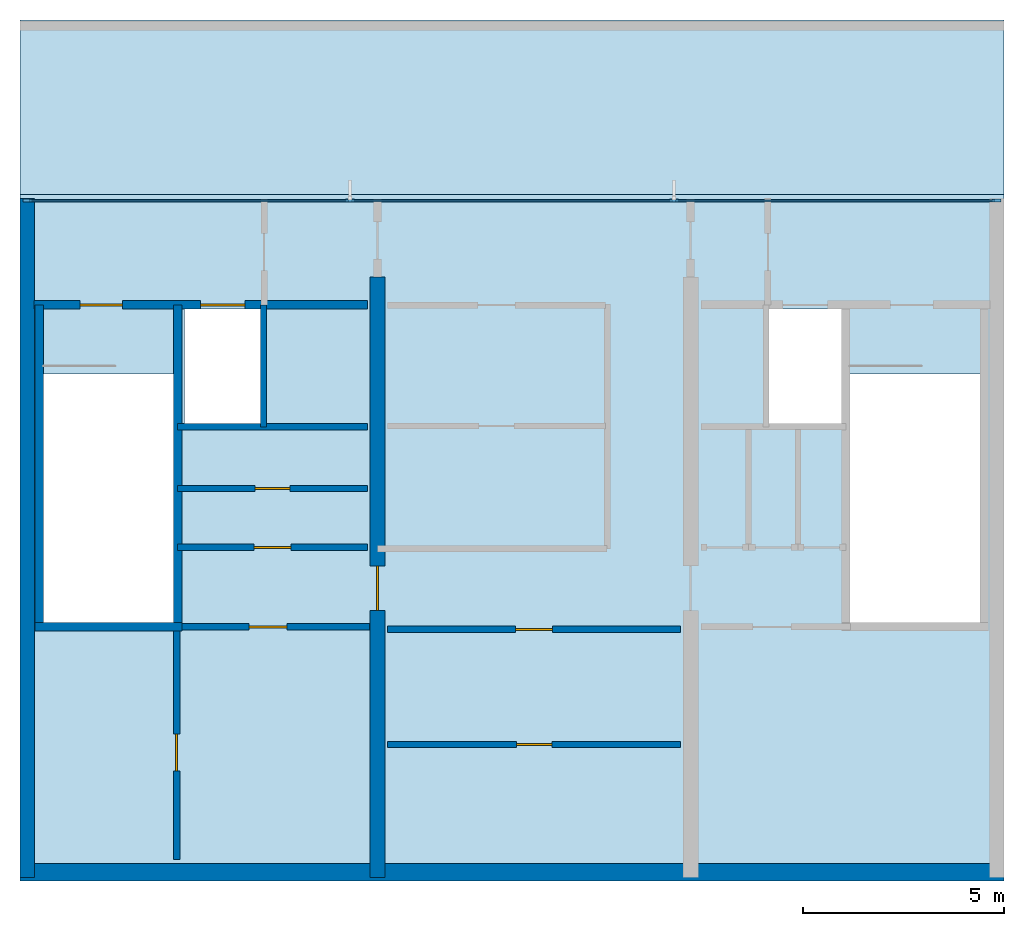
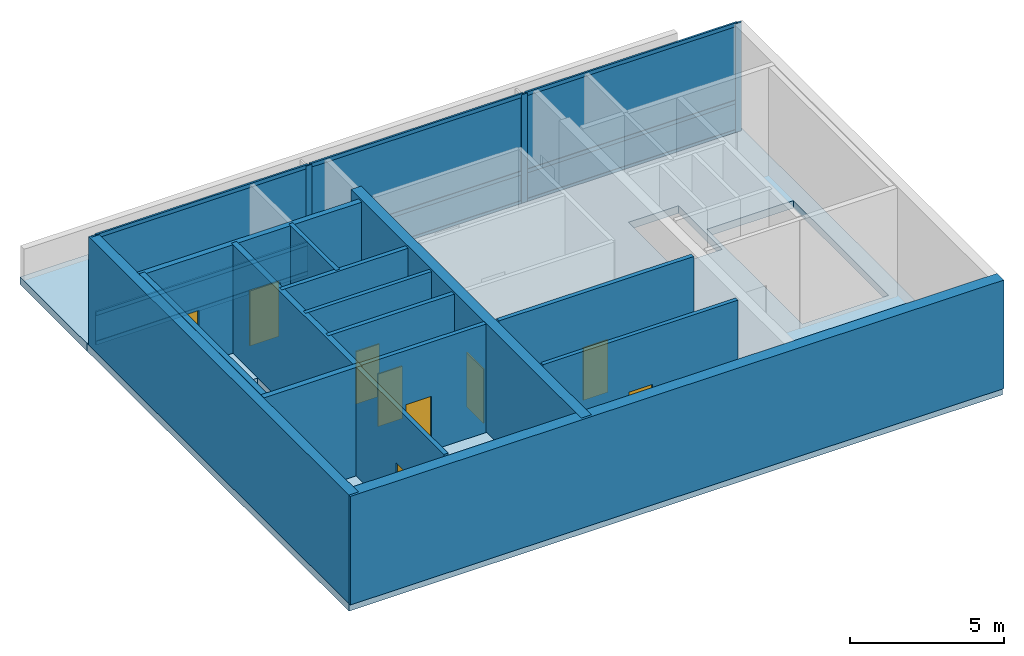
# One storey, part 1 of 3: 15 walls, 13 members, 9 doors, 6 plates, 2 slabs, 9 openings, 1 element without a shape of its own.
"""IFC4 building model written with IfcOpenShell, lengths in metres."""

import ifcopenshell
import ifcopenshell.guid

model = None  # the IFC model being written
_history = None  # IfcOwnerHistory: only IFC2X3 demands one
_inside = {}  # id of a spatial element -> (the spatial element, [elements in it])
_under = {}  # id of a project, library or spatial element -> (it, [spatial elements below it])
_declared = {}  # id of a project -> (the project, [libraries it declares])
_typed = {}  # id of a type object -> (the type object, [elements of that type])
_made_of = {}  # id of a material, layer set ... -> (it, [elements and type objects made of it])


def new_model(schema):
    """Start an empty IFC model of exactly this schema.

    Asked for "IFC4X3", IfcOpenShell would pick the latest addendum, in which some entities
    have other attributes; the version numbers below select the first issue.
    IFC2X3 requires an IfcOwnerHistory on every rooted entity: one is made here for all.
    """
    global model, _history
    if schema == "IFC4X3":
        model = ifcopenshell.file(schema_version=(4, 3, 0, 0))
    else:
        model = ifcopenshell.file(schema=schema)
    _inside.clear()
    _under.clear()
    _declared.clear()
    _typed.clear()
    _made_of.clear()
    _history = None
    if model.schema == "IFC2X3":
        org = make("IfcOrganization", Name="unknown")
        user = make(
            "IfcPersonAndOrganization",
            ThePerson=make("IfcPerson", FamilyName="unknown"),
            TheOrganization=org,
        )
        app = make(
            "IfcApplication",
            ApplicationDeveloper=org,
            Version="unknown",
            ApplicationFullName="unknown",
            ApplicationIdentifier="unknown",
        )
        _history = make(
            "IfcOwnerHistory",
            OwningUser=user,
            OwningApplication=app,
            ChangeAction="ADDED",
            CreationDate=0,
        )
    return model


def make(cls, **values):
    """One entity of the class cls with the attributes given. An attribute that is None is left unset."""
    return model.create_entity(
        cls, **{name: value for name, value in values.items() if value is not None}
    )


def rooted(cls, **values):
    """An entity with a GlobalId (a new one), such as an element, a storey or a relation."""
    return make(cls, GlobalId=ifcopenshell.guid.new(), OwnerHistory=_history, **values)


def si_unit(unit_type, name, prefix=None):
    """IfcSIUnit, for example si_unit("LENGTHUNIT", "METRE", prefix="MILLI")."""
    return make("IfcSIUnit", UnitType=unit_type, Prefix=prefix, Name=name)


def assignment(units):
    """IfcUnitAssignment: the units of a project."""
    return None if units is None else make("IfcUnitAssignment", Units=units)


def point(xyz):
    """IfcCartesianPoint."""
    return None if xyz is None else make("IfcCartesianPoint", Coordinates=xyz)


def direction(xyz):
    """IfcDirection."""
    return None if xyz is None else make("IfcDirection", DirectionRatios=xyz)


def frame(location, z_axis=None, x_axis=None):
    """IfcAxis2Placement3D, a coordinate frame: its origin and axes. An axis left out is left unset."""
    return make(
        "IfcAxis2Placement3D",
        Location=point(location),
        Axis=direction(z_axis),
        RefDirection=direction(x_axis),
    )


def frame_2d(location, x_axis=None):
    """IfcAxis2Placement2D, a coordinate frame in the plane: its origin and x axis."""
    return make(
        "IfcAxis2Placement2D", Location=point(location), RefDirection=direction(x_axis)
    )


def origin():
    """The frame at (0, 0, 0) with its axes left unset."""
    return frame((0.0, 0.0, 0.0))


def origin_2d():
    """The frame at (0, 0) in the plane with its x axis left unset."""
    return frame_2d((0.0, 0.0))


def place(relative_to, where):
    """IfcLocalPlacement: puts the frame where relative to a parent placement (None: the world)."""
    return make(
        "IfcLocalPlacement", PlacementRelTo=relative_to, RelativePlacement=where
    )


def context(
    kind, dimensions, precision=None, world=None, true_north=None, identifier=None
):
    """IfcGeometricRepresentationContext, for example the 3D "Model" context."""
    return make(
        "IfcGeometricRepresentationContext",
        ContextIdentifier=identifier,
        ContextType=kind,
        CoordinateSpaceDimension=dimensions,
        Precision=precision,
        WorldCoordinateSystem=world,
        TrueNorth=true_north,
    )


def subcontext(parent, identifier, kind, view, scale=None):
    """IfcGeometricRepresentationSubContext, for example "Body" below "Model"."""
    return make(
        "IfcGeometricRepresentationSubContext",
        ContextIdentifier=identifier,
        ContextType=kind,
        ParentContext=parent,
        TargetScale=scale,
        TargetView=view,
    )


def project(units=None, contexts=None):
    """IfcProject with its units and contexts."""
    return rooted(
        "IfcProject",
        Name="project",
        RepresentationContexts=contexts,
        UnitsInContext=assignment(units),
    )


def spatial(cls, under=None, at=None, **own):
    """A site, building, storey or space (cls), placed at a placement, below another one or the project."""
    s = rooted(cls, ObjectPlacement=at, **own)
    if under is not None:
        _under.setdefault(under.id(), (under, []))[1].append(s)
    return s


def polyline(points):
    """IfcPolyline through the points."""
    return make("IfcPolyline", Points=[point(p) for p in points])


def profile(cls, at=None, kind="AREA", **sizes):
    """A parametric profile (cls). Its sizes go by their IFC names, for example OverallWidth=200.0."""
    return make(cls, ProfileType=kind, Position=at, **sizes)


def rectangle(**sizes):
    """IfcRectangleProfileDef."""
    return profile("IfcRectangleProfileDef", **sizes)


def outline(outer, holes=None, kind="AREA"):
    """IfcArbitraryClosedProfileDef: a profile drawn as a closed curve; with holes, ...WithVoids."""
    if holes is None:
        return make("IfcArbitraryClosedProfileDef", ProfileType=kind, OuterCurve=outer)
    return make(
        "IfcArbitraryProfileDefWithVoids",
        ProfileType=kind,
        OuterCurve=outer,
        InnerCurves=holes,
    )


def extrude(swept, where, along, depth):
    """IfcExtrudedAreaSolid: the profile swept, set in the frame where, extruded along a direction by depth."""
    return make(
        "IfcExtrudedAreaSolid",
        SweptArea=swept,
        Position=where,
        ExtrudedDirection=direction(along),
        Depth=depth,
    )


def shape(context_of_items, identifier, shape_type, items):
    """IfcShapeRepresentation: the items that make up one representation, for example the "Body"."""
    return make(
        "IfcShapeRepresentation",
        ContextOfItems=context_of_items,
        RepresentationIdentifier=identifier,
        RepresentationType=shape_type,
        Items=items,
    )


def material(Name=None, Category=None):
    """IfcMaterial."""
    return make("IfcMaterial", Name=Name, Category=Category)


def layer(
    of_material, thickness, ventilated=None, Name=None, Category=None, Priority=None
):
    """IfcMaterialLayer: one layer of a wall or slab, of a material (None: an air gap)."""
    return make(
        "IfcMaterialLayer",
        Material=of_material,
        LayerThickness=thickness,
        IsVentilated=ventilated,
        Name=Name,
        Category=Category,
        Priority=Priority,
    )


def layer_set(layers, Name=None):
    """IfcMaterialLayerSet."""
    return make("IfcMaterialLayerSet", MaterialLayers=layers, LayerSetName=Name)


def material_profile(
    of_material, cross_section, Name=None, Category=None, Priority=None
):
    """IfcMaterialProfile: a cross section and its material."""
    return make(
        "IfcMaterialProfile",
        Name=Name,
        Material=of_material,
        Profile=cross_section,
        Priority=Priority,
        Category=Category,
    )


def profile_set(profiles, Name=None, composite=None):
    """IfcMaterialProfileSet."""
    return make(
        "IfcMaterialProfileSet",
        Name=Name,
        MaterialProfiles=profiles,
        CompositeProfile=composite,
    )


def made_of(thing, what):
    """Note that an element or type object is made of a material, layer set ...; save() writes the relation."""
    if what is not None:
        _made_of.setdefault(what.id(), (what, []))[1].append(thing)
    return thing


def type_object(cls, material=None, **own):
    """A type object (cls), such as IfcWallType, which elements share."""
    return made_of(rooted(cls, **own), material)


def element(
    cls,
    number,
    at=None,
    inside=None,
    cuts=None,
    type_object=None,
    material=None,
    context=None,
    identifier="Body",
    shape_type=None,
    held_by="IfcProductDefinitionShape",
    body=None,
    shapes=None,
    **own,
):
    """One element of the class cls, such as IfcWall. Its Tag is "e" and its number.

    at: its placement. inside: the storey or other place that contains it. cuts: it is an
    opening in that element (IfcRelVoidsElement). A single representation is given by context,
    identifier, shape_type and body (its items); several are given by shapes. held_by: the class
    of the entity that holds the representations. save() writes the other relations.
    """
    e = rooted(cls, Tag="e%d" % number, ObjectPlacement=at, **own)
    if body is not None:
        shapes = [shape(context, identifier, shape_type, body)]
    if shapes is not None:
        e.Representation = make(held_by, Representations=shapes)
    if inside is not None:
        _inside.setdefault(inside.id(), (inside, []))[1].append(e)
    if cuts is not None:
        rooted(
            "IfcRelVoidsElement", RelatingBuildingElement=cuts, RelatedOpeningElement=e
        )
    if type_object is not None:
        _typed.setdefault(type_object.id(), (type_object, []))[1].append(e)
    return made_of(e, material)


def fill(opening, filler):
    """IfcRelFillsElement: the door or window that sits in an opening."""
    return rooted(
        "IfcRelFillsElement",
        RelatingOpeningElement=opening,
        RelatedBuildingElement=filler,
    )


def aggregate(whole, parts):
    """IfcRelAggregates: a whole, such as a stair, and the parts it consists of."""
    return rooted("IfcRelAggregates", RelatingObject=whole, RelatedObjects=parts)


def save(model, path):
    """Write the relations noted so far, then the file.

    IfcRelAggregates (storeys below a building ...), IfcRelContainedInSpatialStructure (elements
    in a storey), IfcRelDefinesByType, IfcRelAssociatesMaterial and IfcRelDeclares: one each for
    every whole, place, type object, material and project.
    """
    for whole, parts in _under.values():
        aggregate(whole, parts)
    for where, things in _inside.values():
        rooted(
            "IfcRelContainedInSpatialStructure",
            RelatedElements=things,
            RelatingStructure=where,
        )
    for kind, things in _typed.values():
        rooted("IfcRelDefinesByType", RelatedObjects=things, RelatingType=kind)
    for what, things in _made_of.values():
        rooted("IfcRelAssociatesMaterial", RelatedObjects=things, RelatingMaterial=what)
    for by, libraries in _declared.values():
        rooted("IfcRelDeclares", RelatingContext=by, RelatedDefinitions=libraries)
    model.write(path)


model = new_model("IFC4")

# Units and contexts
model_context = context("Model", 3, precision=1e-05, world=origin(), true_north=direction((0.0, 1.0)))
body_context = subcontext(model_context, "Body", "Model", "MODEL_VIEW")
ifc_project = project(units=[si_unit("LENGTHUNIT", "METRE"), si_unit("AREAUNIT", "SQUARE_METRE"), si_unit("VOLUMEUNIT", "CUBIC_METRE"), si_unit("PLANEANGLEUNIT", "RADIAN"), si_unit("MASSUNIT", "GRAM", prefix="KILO")], contexts=[model_context])

# Site, building, storey
site_placement = place(None, origin())
site = spatial("IfcSite", under=ifc_project, at=site_placement, CompositionType="ELEMENT")
building_placement = place(site_placement, origin())
building = spatial("IfcBuilding", under=site, at=building_placement, Name="Qalmaran Belvedere Hotel", CompositionType="ELEMENT")
storey_placement = place(building_placement, frame((0.0, 0.0, 317.10009765625)))
storey = spatial("IfcBuildingStorey", under=building, at=storey_placement, Name="C05", CompositionType="ELEMENT", Elevation=317.10009765625)

# Curtain wall, members, plates
ifc_material_1 = material(Name="Anodised Bronze Aluminium", Category="aluminium")
ifc_layer_1 = layer(ifc_material_1, 0.205078125, Name="Anodised Bronze Aluminium")
ifc_layer_set_1 = layer_set([ifc_layer_1], Name="Anodised Bronze Aluminium")
curtain_wall_type = type_object("IfcCurtainWallType", Name="CW7-CROWN-BELVEDERE", PredefinedType="NOTDEFINED", material=ifc_layer_set_1)
curtain_wall_placement = place(storey_placement, origin())
curtain_wall = element("IfcCurtainWall", 1, at=curtain_wall_placement, inside=storey, type_object=curtain_wall_type, Name="C05 Curtain Wall CW7", PredefinedType="NOTDEFINED")
ifc_material_profile_1 = material_profile(ifc_material_1, rectangle(XDim=0.074951171875, YDim=0.219970703125, at=origin_2d()), Name="CWM75X220")
ifc_profile_set_1 = profile_set([ifc_material_profile_1], Name="Anodised Bronze Aluminium")
member_type_1 = type_object("IfcMemberType", Name="CWM-75X220", PredefinedType="MULLION", material=ifc_profile_set_1)
member_1_placement = place(storey_placement, frame((44.612548828125, 20.35009765625, 0.0), z_axis=(0.0, 0.0, 1.0), x_axis=(0.0, -1.0, 0.0)))
member_1 = element("IfcMember", 2, at=member_1_placement, type_object=member_type_1, Name="CW7 mullion 1", PredefinedType="MULLION", context=body_context, shape_type="SweptSolid", body=[
    extrude(rectangle(XDim=0.074951171875, YDim=0.219970703125, at=origin_2d()), origin(), (0.0, 0.0, 1.0), 4.2998046875),
])
member_2_placement = place(storey_placement, frame((36.583251953125, 20.35009765625, 0.0), z_axis=(0.0, 0.0, 1.0), x_axis=(0.0, -1.0, 0.0)))
member_2 = element("IfcMember", 3, at=member_2_placement, type_object=member_type_1, Name="CW7 mullion 2", PredefinedType="MULLION", context=body_context, shape_type="SweptSolid", body=[
    extrude(rectangle(XDim=0.074951171875, YDim=0.219970703125, at=origin_2d()), origin(), (0.0, 0.0, 1.0), 4.2998046875),
])
member_3_placement = place(storey_placement, frame((28.5166015625, 20.35009765625, 0.0), z_axis=(0.0, 0.0, 1.0), x_axis=(0.0, -1.0, 0.0)))
member_3 = element("IfcMember", 4, at=member_3_placement, type_object=member_type_1, Name="CW7 mullion 3", PredefinedType="MULLION", context=body_context, shape_type="SweptSolid", body=[
    extrude(rectangle(XDim=0.074951171875, YDim=0.219970703125, at=origin_2d()), origin(), (0.0, 0.0, 1.0), 4.2998046875),
])
member_4_placement = place(storey_placement, frame((20.487548828125, 20.35009765625, 0.0), z_axis=(0.0, 0.0, 1.0), x_axis=(0.0, -1.0, 0.0)))
member_4 = element("IfcMember", 5, at=member_4_placement, type_object=member_type_1, Name="CW7 mullion 4", PredefinedType="MULLION", context=body_context, shape_type="SweptSolid", body=[
    extrude(rectangle(XDim=0.074951171875, YDim=0.219970703125, at=origin_2d()), origin(), (0.0, 0.0, 1.0), 4.2998046875),
])
ifc_material_profile_2 = material_profile(ifc_material_1, rectangle(XDim=0.070068359375, YDim=0.14990234375, at=origin_2d()), Name="CWT70X150")
ifc_profile_set_2 = profile_set([ifc_material_profile_2], Name="Anodised Bronze Aluminium")
member_type_2 = type_object("IfcMemberType", Name="CWT-70X150", PredefinedType="USERDEFINED", material=ifc_profile_set_2)
member_5_placement = place(storey_placement, frame((44.574951171875, 20.35009765625, 0.034912109375), z_axis=(-1.0, 0.0, 0.0), x_axis=(0.0, -1.0, 0.0)))
member_5 = element("IfcMember", 6, at=member_5_placement, type_object=member_type_2, Name="CW7 transom 1.1", ObjectType="TRANSOM", PredefinedType="USERDEFINED", context=body_context, shape_type="SweptSolid", body=[
    extrude(rectangle(XDim=0.070068359375, YDim=0.14990234375, at=origin_2d()), origin(), (0.0, 0.0, 1.0), 7.9541015625),
])
member_6_placement = place(storey_placement, frame((44.574951171875, 20.35009765625, 1.203857421875), z_axis=(-1.0, 0.0, 0.0), x_axis=(0.0, -1.0, 0.0)))
member_6 = element("IfcMember", 7, at=member_6_placement, type_object=member_type_2, Name="CW7 transom 1.2", ObjectType="TRANSOM", PredefinedType="USERDEFINED", context=body_context, shape_type="SweptSolid", body=[
    extrude(rectangle(XDim=0.070068359375, YDim=0.14990234375, at=origin_2d()), origin(), (0.0, 0.0, 1.0), 7.9541015625),
])
member_7_placement = place(storey_placement, frame((44.574951171875, 20.35009765625, 4.264892578125), z_axis=(-1.0, 0.0, 0.0), x_axis=(0.0, -1.0, 0.0)))
member_7 = element("IfcMember", 8, at=member_7_placement, type_object=member_type_2, Name="CW7 transom 1.3", ObjectType="TRANSOM", PredefinedType="USERDEFINED", context=body_context, shape_type="SweptSolid", body=[
    extrude(rectangle(XDim=0.070068359375, YDim=0.14990234375, at=origin_2d()), origin(), (0.0, 0.0, 1.0), 7.9541015625),
])
member_8_placement = place(storey_placement, frame((36.5458984375, 20.35009765625, 0.034912109375), z_axis=(-1.0, 0.0, 0.0), x_axis=(0.0, -1.0, 0.0)))
member_8 = element("IfcMember", 9, at=member_8_placement, type_object=member_type_2, Name="CW7 transom 2.1", ObjectType="TRANSOM", PredefinedType="USERDEFINED", context=body_context, shape_type="SweptSolid", body=[
    extrude(rectangle(XDim=0.070068359375, YDim=0.14990234375, at=origin_2d()), origin(), (0.0, 0.0, 1.0), 7.99169921875),
])
member_9_placement = place(storey_placement, frame((36.5458984375, 20.35009765625, 1.203857421875), z_axis=(-1.0, 0.0, 0.0), x_axis=(0.0, -1.0, 0.0)))
member_9 = element("IfcMember", 10, at=member_9_placement, type_object=member_type_2, Name="CW7 transom 2.2", ObjectType="TRANSOM", PredefinedType="USERDEFINED", context=body_context, shape_type="SweptSolid", body=[
    extrude(rectangle(XDim=0.070068359375, YDim=0.14990234375, at=origin_2d()), origin(), (0.0, 0.0, 1.0), 7.99169921875),
])
member_10_placement = place(storey_placement, frame((36.5458984375, 20.35009765625, 4.264892578125), z_axis=(-1.0, 0.0, 0.0), x_axis=(0.0, -1.0, 0.0)))
member_10 = element("IfcMember", 11, at=member_10_placement, type_object=member_type_2, Name="CW7 transom 2.3", ObjectType="TRANSOM", PredefinedType="USERDEFINED", context=body_context, shape_type="SweptSolid", body=[
    extrude(rectangle(XDim=0.070068359375, YDim=0.14990234375, at=origin_2d()), origin(), (0.0, 0.0, 1.0), 7.99169921875),
])
member_11_placement = place(storey_placement, frame((28.479248046875, 20.35009765625, 0.034912109375), z_axis=(-1.0, 0.0, 0.0), x_axis=(0.0, -1.0, 0.0)))
member_11 = element("IfcMember", 12, at=member_11_placement, type_object=member_type_2, Name="CW7 transom 3.1", ObjectType="TRANSOM", PredefinedType="USERDEFINED", context=body_context, shape_type="SweptSolid", body=[
    extrude(rectangle(XDim=0.070068359375, YDim=0.14990234375, at=origin_2d()), origin(), (0.0, 0.0, 1.0), 7.954345703125),
])
member_12_placement = place(storey_placement, frame((28.479248046875, 20.35009765625, 1.203857421875), z_axis=(-1.0, 0.0, 0.0), x_axis=(0.0, -1.0, 0.0)))
member_12 = element("IfcMember", 13, at=member_12_placement, type_object=member_type_2, Name="CW7 transom 3.2", ObjectType="TRANSOM", PredefinedType="USERDEFINED", context=body_context, shape_type="SweptSolid", body=[
    extrude(rectangle(XDim=0.070068359375, YDim=0.14990234375, at=origin_2d()), origin(), (0.0, 0.0, 1.0), 7.954345703125),
])
member_13_placement = place(storey_placement, frame((28.479248046875, 20.35009765625, 4.264892578125), z_axis=(-1.0, 0.0, 0.0), x_axis=(0.0, -1.0, 0.0)))
member_13 = element("IfcMember", 14, at=member_13_placement, type_object=member_type_2, Name="CW7 transom 3.3", ObjectType="TRANSOM", PredefinedType="USERDEFINED", context=body_context, shape_type="SweptSolid", body=[
    extrude(rectangle(XDim=0.070068359375, YDim=0.14990234375, at=origin_2d()), origin(), (0.0, 0.0, 1.0), 7.954345703125),
])
ifc_material_2 = material(Name="Anodised Bronze Spandrel Panel")
ifc_layer_2 = layer(ifc_material_2, 0.035888671875, Name="Anodised Bronze Spandrel Panel")
ifc_layer_set_2 = layer_set([ifc_layer_2], Name="Anodised Bronze Spandrel Panel")
plate_type_1 = type_object("IfcPlateType", Name="CWP-SPANDREL-36", PredefinedType="CURTAIN_PANEL", material=ifc_layer_set_2)
plate_1_placement = place(storey_placement, frame((40.597900390625, 20.35009765625, 0.06982421875), z_axis=(0.0, 0.0, 1.0), x_axis=(-1.0, 0.0, 0.0)))
plate_1 = element("IfcPlate", 15, at=plate_1_placement, type_object=plate_type_1, Name="CW7 panel 1.1", PredefinedType="CURTAIN_PANEL", context=body_context, shape_type="SweptSolid", body=[
    extrude(rectangle(XDim=7.9541015625, YDim=0.035888671875, at=origin_2d()), origin(), (0.0, 0.0, 1.0), 1.09912109375),
])
plate_2_placement = place(storey_placement, frame((32.550048828125, 20.35009765625, 0.06982421875), z_axis=(0.0, 0.0, 1.0), x_axis=(-1.0, 0.0, 0.0)))
plate_2 = element("IfcPlate", 16, at=plate_2_placement, type_object=plate_type_1, Name="CW7 panel 2.1", PredefinedType="CURTAIN_PANEL", context=body_context, shape_type="SweptSolid", body=[
    extrude(rectangle(XDim=7.99169921875, YDim=0.035888671875, at=origin_2d()), origin(), (0.0, 0.0, 1.0), 1.09912109375),
])
plate_3_placement = place(storey_placement, frame((24.502197265625, 20.35009765625, 0.06982421875), z_axis=(0.0, 0.0, 1.0), x_axis=(-1.0, 0.0, 0.0)))
plate_3 = element("IfcPlate", 17, at=plate_3_placement, type_object=plate_type_1, Name="CW7 panel 3.1", PredefinedType="CURTAIN_PANEL", context=body_context, shape_type="SweptSolid", body=[
    extrude(rectangle(XDim=7.9541015625, YDim=0.035888671875, at=origin_2d()), origin(), (0.0, 0.0, 1.0), 1.09912109375),
])
ifc_material_3 = material(Name="Solar-Control Double Glazing", Category="glass")
ifc_layer_3 = layer(ifc_material_3, 0.028076171875, Name="Solar-Control Double Glazing")
ifc_layer_set_3 = layer_set([ifc_layer_3], Name="Solar-Control Double Glazing")
plate_type_2 = type_object("IfcPlateType", Name="CWP-VISION-28", PredefinedType="CURTAIN_PANEL", material=ifc_layer_set_3)
plate_4_placement = place(storey_placement, frame((40.597900390625, 20.35009765625, 1.23876953125), z_axis=(0.0, 0.0, 1.0), x_axis=(-1.0, 0.0, 0.0)))
plate_4 = element("IfcPlate", 18, at=plate_4_placement, type_object=plate_type_2, Name="CW7 panel 1.2", PredefinedType="CURTAIN_PANEL", context=body_context, shape_type="SweptSolid", body=[
    extrude(rectangle(XDim=7.9541015625, YDim=0.028076171875, at=origin_2d()), origin(), (0.0, 0.0, 1.0), 2.990966796875),
])
plate_5_placement = place(storey_placement, frame((32.550048828125, 20.35009765625, 1.23876953125), z_axis=(0.0, 0.0, 1.0), x_axis=(-1.0, 0.0, 0.0)))
plate_5 = element("IfcPlate", 19, at=plate_5_placement, type_object=plate_type_2, Name="CW7 panel 2.2", PredefinedType="CURTAIN_PANEL", context=body_context, shape_type="SweptSolid", body=[
    extrude(rectangle(XDim=7.99169921875, YDim=0.028076171875, at=origin_2d()), origin(), (0.0, 0.0, 1.0), 2.990966796875),
])
plate_6_placement = place(storey_placement, frame((24.502197265625, 20.35009765625, 1.23876953125), z_axis=(0.0, 0.0, 1.0), x_axis=(-1.0, 0.0, 0.0)))
plate_6 = element("IfcPlate", 20, at=plate_6_placement, type_object=plate_type_2, Name="CW7 panel 3.2", PredefinedType="CURTAIN_PANEL", context=body_context, shape_type="SweptSolid", body=[
    extrude(rectangle(XDim=7.9541015625, YDim=0.028076171875, at=origin_2d()), origin(), (0.0, 0.0, 1.0), 2.990966796875),
])
aggregate(curtain_wall, [member_1, member_2, member_3, member_4, member_5, member_6, member_7, plate_1, plate_4, member_8, member_9, member_10, plate_2, plate_5, member_11, member_12, member_13, plate_3, plate_6])

# Slabs
ifc_material_4 = material(Name="Concrete C40/50", Category="concrete")
ifc_layer_4 = layer(ifc_material_4, 0.300048828125, Name="Concrete C40/50")
ifc_layer_set_4 = layer_set([ifc_layer_4], Name="Concrete C40/50")
slab_type_1 = type_object("IfcSlabType", Name="SLB-CRN-300", PredefinedType="FLOOR", material=ifc_layer_set_4)
slab_1_placement = place(storey_placement, frame((0.0, 0.0, -0.300048828125)))
element("IfcSlab", 21, at=slab_1_placement, inside=storey, type_object=slab_type_1, Name="C05 Structural Floor Slab", PredefinedType="FLOOR", context=body_context, shape_type="SweptSolid", body=[
    extrude(outline(polyline([(20.300048828125, 3.5), (44.800048828125, 3.5), (44.800048828125, 20.5), (20.300048828125, 20.5), (20.300048828125, 3.5)]), holes=[polyline([(20.8798828125, 9.85009765625), (24.1201171875, 9.85009765625), (24.1201171875, 16.0400390625), (20.8798828125, 16.0400390625), (20.8798828125, 9.85009765625)]), polyline([(40.9599609375, 9.85009765625), (44.199951171875, 9.85009765625), (44.199951171875, 16.0400390625), (40.9599609375, 16.0400390625), (40.9599609375, 9.85009765625)]), polyline([(24.39990234375, 14.800048828125), (26.300048828125, 14.800048828125), (26.300048828125, 17.64990234375), (24.39990234375, 17.64990234375), (24.39990234375, 14.800048828125)]), polyline([(38.949951171875, 14.800048828125), (40.820068359375, 14.800048828125), (40.820068359375, 17.64990234375), (38.949951171875, 17.64990234375), (38.949951171875, 14.800048828125)])]), origin(), (0.0, 0.0, 1.0), 0.300048828125),
])
ifc_layer_5 = layer(ifc_material_4, 0.300048828125, Name="Concrete C40/50")
ifc_layer_set_5 = layer_set([ifc_layer_5], Name="Concrete C40/50")
slab_type_2 = type_object("IfcSlabType", Name="SLB-CROOF-310", PredefinedType="ROOF", material=ifc_layer_set_5)
slab_2_placement = place(storey_placement, frame((0.0, 0.0, -0.300048828125)))
element("IfcSlab", 22, at=slab_2_placement, inside=storey, type_object=slab_type_2, Name="C05 Stepped Roof Cap 1", PredefinedType="ROOF", context=body_context, shape_type="SweptSolid", body=[
    extrude(outline(polyline([(20.300048828125, 24.85009765625), (44.800048828125, 24.85009765625), (44.800048828125, 20.5), (20.300048828125, 20.5), (20.300048828125, 24.85009765625)])), origin(), (0.0, 0.0, 1.0), 0.300048828125),
])

# Wall, opening, door
ifc_material_5 = material(Name="Concrete C50/60", Category="concrete")
ifc_layer_6 = layer(ifc_material_5, 0.3798828125, Name="Concrete C50/60")
ifc_layer_set_6 = layer_set([ifc_layer_6], Name="Concrete C50/60")
wall_type_1 = type_object("IfcWallType", Name="WL-CORE-380-C50", PredefinedType="SHEAR", material=ifc_layer_set_6)
wall_1_placement = place(storey_placement, frame((29.199951171875, 3.5, 0.0), z_axis=(0.0, 0.0, 1.0), x_axis=(0.0, 1.0, 0.0)))
wall_1 = element("IfcWall", 23, at=wall_1_placement, inside=storey, type_object=wall_type_1, Name="C05 Core West Spine Shear Wall", PredefinedType="SHEAR", context=body_context, shape_type="SweptSolid", body=[
    extrude(rectangle(XDim=14.949951171875, YDim=0.3798828125, at=frame_2d((7.47509765625, 0.0))), origin(), (0.0, 0.0, 1.0), 4.2998046875),
])
opening_1_placement = place(wall_1_placement, frame((7.75, 0.0, 0.0), z_axis=(0.0, 0.0, 1.0), x_axis=(-1.0, 0.0, 0.0)))
opening_1 = element("IfcOpeningElement", 24, at=opening_1_placement, cuts=wall_1, Name="Opening FD90", PredefinedType="OPENING", context=body_context, shape_type="SweptSolid", body=[
    extrude(rectangle(XDim=1.10009765625, YDim=2.14990234375, at=frame_2d((0.550048828125, 1.074951171875))), frame((0.0, 0.199951171875, 0.0), z_axis=(0.0, -1.0, 0.0), x_axis=(1.0, 0.0, 0.0)), (0.0, 0.0, 1.0), 0.39990234375),
])
ifc_material_6 = material(Name="Steel S355JR", Category="steel")
door_type_1 = type_object("IfcDoorType", Name="DR-FD90-1100X2150", OperationType="NOTDEFINED", PredefinedType="DOOR", material=ifc_material_6)
door_1_placement = place(opening_1_placement, origin())
door_1 = element("IfcDoor", 25, at=door_1_placement, inside=storey, type_object=door_type_1, Name="C05 Core West Cross-Lobby Door", OperationType="SINGLE_SWING_LEFT", OverallHeight=2.14990234375, OverallWidth=1.10009765625, PredefinedType="DOOR", context=body_context, shape_type="SweptSolid", body=[
    extrude(rectangle(XDim=1.10009765625, YDim=2.14990234375, at=frame_2d((0.550048828125, 1.074951171875))), frame((0.0, 0.02490234375, 0.0), z_axis=(0.0, -1.0, 0.0), x_axis=(1.0, 0.0, 0.0)), (0.0, 0.0, 1.0), 0.050048828125),
])
fill(opening_1, door_1)

# Walls
ifc_layer_7 = layer(ifc_material_5, 0.43994140625, Name="Concrete C50/60")
ifc_layer_set_7 = layer_set([ifc_layer_7], Name="Concrete C50/60")
wall_type_2 = type_object("IfcWallType", Name="WL-CORES-440-EXT", PredefinedType="SHEAR", material=ifc_layer_set_7)
wall_2_placement = place(storey_placement, frame((20.300048828125, 3.6298828125, 0.0), z_axis=(0.0, 0.0, 1.0), x_axis=(1.0, 0.0, 0.0)))
element("IfcWall", 26, at=wall_2_placement, inside=storey, type_object=wall_type_2, Name="C05 South Core Shear Wall", PredefinedType="SHEAR", context=body_context, shape_type="SweptSolid", body=[
    extrude(rectangle(XDim=24.5, YDim=0.43994140625, at=frame_2d((12.25, 0.0))), origin(), (0.0, 0.0, 1.0), 4.2998046875),
])
ifc_layer_8 = layer(ifc_material_5, 0.360107421875, Name="Concrete C50/60")
ifc_layer_set_8 = layer_set([ifc_layer_8], Name="Concrete C50/60")
wall_type_3 = type_object("IfcWallType", Name="WL-COREWE-360-EXT", PredefinedType="SHEAR", material=ifc_layer_set_8)
wall_3_placement = place(storey_placement, frame((20.47998046875, 3.5, 0.0), z_axis=(0.0, 0.0, 1.0), x_axis=(0.0, 1.0, 0.0)))
element("IfcWall", 27, at=wall_3_placement, inside=storey, type_object=wall_type_3, Name="C05 West Core Shear Wall", PredefinedType="SHEAR", context=body_context, shape_type="SweptSolid", body=[
    extrude(rectangle(XDim=16.89990234375, YDim=0.360107421875, at=frame_2d((8.449951171875, 0.0))), origin(), (0.0, 0.0, 1.0), 4.2998046875),
])
ifc_material_7 = material(Name="Gypsum Stud Partition")
ifc_layer_9 = layer(ifc_material_7, 0.14990234375, Name="Gypsum Stud Partition")
ifc_layer_set_9 = layer_set([ifc_layer_9], Name="Gypsum Stud Partition")
wall_type_4 = type_object("IfcWallType", Name="WL-INT-150-EI120", PredefinedType="PARTITIONING", material=ifc_layer_set_9)
wall_4_placement = place(storey_placement, frame((26.360107421875, 14.719970703125, 0.0), z_axis=(0.0, 0.0, 1.0), x_axis=(0.0, 1.0, 0.0)))
element("IfcWall", 28, at=wall_4_placement, inside=storey, type_object=wall_type_4, Name="C05 Partition WL-FF1M-C05", PredefinedType="PARTITIONING", context=body_context, shape_type="SweptSolid", body=[
    extrude(rectangle(XDim=3.0400390625, YDim=0.14990234375, at=frame_2d((1.52001953125, 0.0))), origin(), (0.0, 0.0, 1.0), 4.2998046875),
])

# Wall, opening, door
ifc_layer_10 = layer(ifc_material_7, 0.14990234375, Name="Gypsum Stud Partition")
ifc_layer_set_10 = layer_set([ifc_layer_10], Name="Gypsum Stud Partition")
wall_type_5 = type_object("IfcWallType", Name="WL-INT-150-EI60", PredefinedType="PARTITIONING", material=ifc_layer_set_10)
wall_5_placement = place(storey_placement, frame((24.219970703125, 13.18505859375, 0.0), z_axis=(0.0, 0.0, 1.0), x_axis=(1.0, 0.0, 0.0)))
wall_5 = element("IfcWall", 29, at=wall_5_placement, inside=storey, type_object=wall_type_5, Name="C05 Partition WL-C05-KWHM", PredefinedType="PARTITIONING", context=body_context, shape_type="SweptSolid", body=[
    extrude(rectangle(XDim=4.72998046875, YDim=0.14990234375, at=frame_2d((2.364990234375, 0.0))), origin(), (0.0, 0.0, 1.0), 4.2998046875),
])
opening_2_placement = place(wall_5_placement, frame((1.925048828125, 0.0, 0.0)))
opening_2 = element("IfcOpeningElement", 30, at=opening_2_placement, cuts=wall_5, Name="Opening FD60B", PredefinedType="OPENING", context=body_context, shape_type="SweptSolid", body=[
    extrude(rectangle(XDim=0.8798828125, YDim=2.080078125, at=frame_2d((0.43994140625, 1.0400390625))), frame((0.0, 0.0849609375, 0.0), z_axis=(0.0, -1.0, 0.0), x_axis=(1.0, 0.0, 0.0)), (0.0, 0.0, 1.0), 0.169921875),
])
door_type_2 = type_object("IfcDoorType", Name="DR-FD60B-880X2080", OperationType="NOTDEFINED", PredefinedType="DOOR", material=ifc_material_6)
door_2_placement = place(opening_2_placement, origin())
door_2 = element("IfcDoor", 31, at=door_2_placement, inside=storey, type_object=door_type_2, Name="C05 Electrical Switchgear Plant Room Door", OperationType="SINGLE_SWING_RIGHT", OverallHeight=2.080078125, OverallWidth=0.8798828125, PredefinedType="DOOR", context=body_context, shape_type="SweptSolid", body=[
    extrude(rectangle(XDim=0.8798828125, YDim=2.080078125, at=frame_2d((0.43994140625, 1.0400390625))), frame((0.0, 0.02490234375, 0.0), z_axis=(0.0, -1.0, 0.0), x_axis=(1.0, 0.0, 0.0)), (0.0, 0.0, 1.0), 0.050048828125),
])
fill(opening_2, door_2)

wall_6_placement = place(storey_placement, frame((29.449951171875, 6.81494140625, 0.0), z_axis=(0.0, 0.0, 1.0), x_axis=(1.0, 0.0, 0.0)))
wall_6 = element("IfcWall", 32, at=wall_6_placement, inside=storey, type_object=wall_type_5, Name="C05 Partition WL-C05-KPLHM", PredefinedType="PARTITIONING", context=body_context, shape_type="SweptSolid", body=[
    extrude(rectangle(XDim=7.300048828125, YDim=0.14990234375, at=frame_2d((3.64990234375, 0.0))), origin(), (0.0, 0.0, 1.0), 4.2998046875),
])
opening_3_placement = place(wall_6_placement, frame((4.08984375, 0.0, 0.0), z_axis=(0.0, 0.0, 1.0), x_axis=(-1.0, 0.0, 0.0)))
opening_3 = element("IfcOpeningElement", 33, at=opening_3_placement, cuts=wall_6, Name="Opening FD60B", PredefinedType="OPENING", context=body_context, shape_type="SweptSolid", body=[
    extrude(rectangle(XDim=0.8798828125, YDim=2.080078125, at=frame_2d((0.43994140625, 1.0400390625))), frame((0.0, 0.0849609375, 0.0), z_axis=(0.0, -1.0, 0.0), x_axis=(1.0, 0.0, 0.0)), (0.0, 0.0, 1.0), 0.169921875),
])
door_3_placement = place(opening_3_placement, origin())
door_3 = element("IfcDoor", 34, at=door_3_placement, inside=storey, type_object=door_type_2, Name="C05 Pressurisation Fan Plant Room Door", OperationType="SINGLE_SWING_RIGHT", OverallHeight=2.080078125, OverallWidth=0.8798828125, PredefinedType="DOOR", context=body_context, shape_type="SweptSolid", body=[
    extrude(rectangle(XDim=0.8798828125, YDim=2.080078125, at=frame_2d((0.43994140625, 1.0400390625))), frame((0.0, 0.02490234375, 0.0), z_axis=(0.0, -1.0, 0.0), x_axis=(1.0, 0.0, 0.0)), (0.0, 0.0, 1.0), 0.050048828125),
])
fill(opening_3, door_3)

# Wall
ifc_layer_11 = layer(ifc_material_7, 0.159912109375, Name="Gypsum Stud Partition")
ifc_layer_set_11 = layer_set([ifc_layer_11], Name="Gypsum Stud Partition")
wall_type_6 = type_object("IfcWallType", Name="WL-INT-160-EI120", PredefinedType="PARTITIONING", material=ifc_layer_set_11)
wall_7_placement = place(storey_placement, frame((24.219970703125, 14.719970703125, 0.0), z_axis=(0.0, 0.0, 1.0), x_axis=(1.0, 0.0, 0.0)))
element("IfcWall", 35, at=wall_7_placement, inside=storey, type_object=wall_type_6, Name="C05 Partition WL-FF1S-C05", PredefinedType="PARTITIONING", context=body_context, shape_type="SweptSolid", body=[
    extrude(rectangle(XDim=4.72998046875, YDim=0.159912109375, at=frame_2d((2.364990234375, 0.0))), origin(), (0.0, 0.0, 1.0), 4.2998046875),
])

# Wall, opening, door
wall_8_placement = place(storey_placement, frame((24.199951171875, 3.949951171875, 0.0), z_axis=(0.0, 0.0, 1.0), x_axis=(0.0, 1.0, 0.0)))
wall_8 = element("IfcWall", 36, at=wall_8_placement, inside=storey, type_object=wall_type_6, Name="C05 Partition WL-PONV-C05", PredefinedType="PARTITIONING", context=body_context, shape_type="SweptSolid", body=[
    extrude(rectangle(XDim=5.7900390625, YDim=0.159912109375, at=frame_2d((2.89501953125, 0.0))), origin(), (0.0, 0.0, 1.0), 4.2998046875),
])
opening_4_placement = place(wall_8_placement, frame((2.199951171875, 0.0, 0.0)))
opening_4 = element("IfcOpeningElement", 37, at=opening_4_placement, cuts=wall_8, Name="Opening FD60S1", PredefinedType="OPENING", context=body_context, shape_type="SweptSolid", body=[
    extrude(rectangle(XDim=0.919921875, YDim=2.080078125, at=frame_2d((0.4599609375, 1.0400390625))), frame((0.0, 0.08984375, 0.0), z_axis=(0.0, -1.0, 0.0), x_axis=(1.0, 0.0, 0.0)), (0.0, 0.0, 1.0), 0.179931640625),
])
ifc_material_8 = material(Name="Engineered Oak Veneer")
door_type_3 = type_object("IfcDoorType", Name="DR-FD60S-920X2080", OperationType="NOTDEFINED", PredefinedType="DOOR", material=ifc_material_8)
door_4_placement = place(opening_4_placement, origin())
door_4 = element("IfcDoor", 38, at=door_4_placement, inside=storey, type_object=door_type_3, Name="C05 Machine Plant Inner Door", OperationType="SINGLE_SWING_RIGHT", OverallHeight=2.080078125, OverallWidth=0.919921875, PredefinedType="DOOR", context=body_context, shape_type="SweptSolid", body=[
    extrude(rectangle(XDim=0.919921875, YDim=2.080078125, at=frame_2d((0.4599609375, 1.0400390625))), frame((0.0, 0.02490234375, 0.0), z_axis=(0.0, -1.0, 0.0), x_axis=(1.0, 0.0, 0.0)), (0.0, 0.0, 1.0), 0.050048828125),
])
fill(opening_4, door_4)

wall_9_placement = place(storey_placement, frame((24.199951171875, 9.739990234375, 0.0), z_axis=(0.0, 0.0, 1.0), x_axis=(1.0, 0.0, 0.0)))
wall_9 = element("IfcWall", 39, at=wall_9_placement, inside=storey, type_object=wall_type_6, Name="C05 Partition WL-PONN-C05", PredefinedType="PARTITIONING", context=body_context, shape_type="SweptSolid", body=[
    extrude(rectangle(XDim=4.800048828125, YDim=0.159912109375, at=frame_2d((2.39990234375, 0.0))), origin(), (0.0, 0.0, 1.0), 4.2998046875),
])
opening_5_placement = place(wall_9_placement, frame((2.75, 0.0, 0.0), z_axis=(0.0, 0.0, 1.0), x_axis=(-1.0, 0.0, 0.0)))
opening_5 = element("IfcOpeningElement", 40, at=opening_5_placement, cuts=wall_9, Name="Opening FD60", PredefinedType="OPENING", context=body_context, shape_type="SweptSolid", body=[
    extrude(rectangle(XDim=0.949951171875, YDim=2.14990234375, at=frame_2d((0.47509765625, 1.074951171875))), frame((0.0, 0.08984375, 0.0), z_axis=(0.0, -1.0, 0.0), x_axis=(1.0, 0.0, 0.0)), (0.0, 0.0, 1.0), 0.179931640625),
])
door_type_4 = type_object("IfcDoorType", Name="DR-FD60-950X2150", OperationType="NOTDEFINED", PredefinedType="DOOR", material=ifc_material_8)
door_5_placement = place(opening_5_placement, origin())
door_5 = element("IfcDoor", 41, at=door_5_placement, inside=storey, type_object=door_type_4, Name="C05 Buffer Plant Passage Door", OperationType="SINGLE_SWING_LEFT", OverallHeight=2.14990234375, OverallWidth=0.949951171875, PredefinedType="DOOR", context=body_context, shape_type="SweptSolid", body=[
    extrude(rectangle(XDim=0.949951171875, YDim=2.14990234375, at=frame_2d((0.47509765625, 1.074951171875))), frame((0.0, 0.02490234375, 0.0), z_axis=(0.0, -1.0, 0.0), x_axis=(1.0, 0.0, 0.0)), (0.0, 0.0, 1.0), 0.050048828125),
])
fill(opening_5, door_5)

ifc_layer_12 = layer(ifc_material_7, 0.159912109375, Name="Gypsum Stud Partition")
ifc_layer_set_12 = layer_set([ifc_layer_12], Name="Gypsum Stud Partition")
wall_type_7 = type_object("IfcWallType", Name="WL-INT-160-EI60", PredefinedType="PARTITIONING", material=ifc_layer_set_12)
wall_10_placement = place(storey_placement, frame((24.219970703125, 11.719970703125, 0.0), z_axis=(0.0, 0.0, 1.0), x_axis=(1.0, 0.0, 0.0)))
wall_10 = element("IfcWall", 42, at=wall_10_placement, inside=storey, type_object=wall_type_7, Name="C05 Partition WL-C05-KWE1", PredefinedType="PARTITIONING", context=body_context, shape_type="SweptSolid", body=[
    extrude(rectangle(XDim=4.72998046875, YDim=0.159912109375, at=frame_2d((2.364990234375, 0.0))), origin(), (0.0, 0.0, 1.0), 4.2998046875),
])
opening_6_placement = place(wall_10_placement, frame((1.905029296875, 0.0, 0.0)))
opening_6 = element("IfcOpeningElement", 43, at=opening_6_placement, cuts=wall_10, Name="Opening FD60S1", PredefinedType="OPENING", context=body_context, shape_type="SweptSolid", body=[
    extrude(rectangle(XDim=0.919921875, YDim=2.080078125, at=frame_2d((0.4599609375, 1.0400390625))), frame((0.0, 0.08984375, 0.0), z_axis=(0.0, -1.0, 0.0), x_axis=(1.0, 0.0, 0.0)), (0.0, 0.0, 1.0), 0.179931640625),
])
door_6_placement = place(opening_6_placement, origin())
door_6 = element("IfcDoor", 44, at=door_6_placement, inside=storey, type_object=door_type_3, Name="C05 Booster Valve Plant Room Door", OperationType="SINGLE_SWING_LEFT", OverallHeight=2.080078125, OverallWidth=0.919921875, PredefinedType="DOOR", context=body_context, shape_type="SweptSolid", body=[
    extrude(rectangle(XDim=0.919921875, YDim=2.080078125, at=frame_2d((0.4599609375, 1.0400390625))), frame((0.0, 0.02490234375, 0.0), z_axis=(0.0, -1.0, 0.0), x_axis=(1.0, 0.0, 0.0)), (0.0, 0.0, 1.0), 0.050048828125),
])
fill(opening_6, door_6)

wall_11_placement = place(storey_placement, frame((29.449951171875, 9.679931640625, 0.0), z_axis=(0.0, 0.0, 1.0), x_axis=(1.0, 0.0, 0.0)))
wall_11 = element("IfcWall", 45, at=wall_11_placement, inside=storey, type_object=wall_type_7, Name="C05 Partition WL-C05-KPLE1", PredefinedType="PARTITIONING", context=body_context, shape_type="SweptSolid", body=[
    extrude(rectangle(XDim=7.300048828125, YDim=0.159912109375, at=frame_2d((3.64990234375, 0.0))), origin(), (0.0, 0.0, 1.0), 4.2998046875),
])
opening_7_placement = place(wall_11_placement, frame((4.10986328125, 0.0, 0.0), z_axis=(0.0, 0.0, 1.0), x_axis=(-1.0, 0.0, 0.0)))
opening_7 = element("IfcOpeningElement", 46, at=opening_7_placement, cuts=wall_11, Name="Opening FD60S1", PredefinedType="OPENING", context=body_context, shape_type="SweptSolid", body=[
    extrude(rectangle(XDim=0.919921875, YDim=2.080078125, at=frame_2d((0.4599609375, 1.0400390625))), frame((0.0, 0.08984375, 0.0), z_axis=(0.0, -1.0, 0.0), x_axis=(1.0, 0.0, 0.0)), (0.0, 0.0, 1.0), 0.179931640625),
])
door_7_placement = place(opening_7_placement, origin())
door_7 = element("IfcDoor", 47, at=door_7_placement, inside=storey, type_object=door_type_3, Name="C05 Chilled Water Header Plant Room Door", OperationType="SINGLE_SWING_LEFT", OverallHeight=2.080078125, OverallWidth=0.919921875, PredefinedType="DOOR", context=body_context, shape_type="SweptSolid", body=[
    extrude(rectangle(XDim=0.919921875, YDim=2.080078125, at=frame_2d((0.4599609375, 1.0400390625))), frame((0.0, 0.02490234375, 0.0), z_axis=(0.0, -1.0, 0.0), x_axis=(1.0, 0.0, 0.0)), (0.0, 0.0, 1.0), 0.050048828125),
])
fill(opening_7, door_7)

# Walls
ifc_layer_13 = layer(ifc_material_5, 0.2099609375, Name="Concrete C50/60")
ifc_layer_set_13 = layer_set([ifc_layer_13], Name="Concrete C50/60")
wall_type_8 = type_object("IfcWallType", Name="WL-STAIR-210-C50", PredefinedType="SHEAR", material=ifc_layer_set_13)
for number, where, z_axis, x_axis, name in (
    (48, (20.77490234375, 9.7451171875, 0.0), (0.0, 0.0, 1.0), (0.0, 1.0, 0.0), "C05 Stair ST-1 West Bearing Wall"),
    (49, (24.22509765625, 9.7451171875, 0.0), (0.0, 0.0, 1.0), (0.0, 1.0, 0.0), "C05 Stair ST-1 East Bearing Wall"),
):
    element("IfcWall", number, at=place(storey_placement, frame(where, z_axis=z_axis, x_axis=x_axis)), inside=storey, type_object=wall_type_8, Name=name, PredefinedType="SHEAR", context=body_context, shape_type="SweptSolid", body=[
        extrude(rectangle(XDim=8.009765625, YDim=0.2099609375, at=frame_2d((4.0048828125, 0.0))), origin(), (0.0, 0.0, 1.0), 4.2998046875),
    ])
wall_12_placement = place(storey_placement, frame((20.669921875, 9.7451171875, 0.0), z_axis=(0.0, 0.0, 1.0), x_axis=(1.0, 0.0, 0.0)))
element("IfcWall", 50, at=wall_12_placement, inside=storey, type_object=wall_type_8, Name="C05 Stair ST-1 South Bearing Wall", PredefinedType="SHEAR", context=body_context, shape_type="SweptSolid", body=[
    extrude(rectangle(XDim=3.66015625, YDim=0.2099609375, at=frame_2d((1.830078125, 0.0))), origin(), (0.0, 0.0, 1.0), 4.2998046875),
])

# Wall, openings, doors
wall_13_placement = place(storey_placement, frame((20.64990234375, 17.7548828125, 0.0), z_axis=(0.0, 0.0, 1.0), x_axis=(1.0, 0.0, 0.0)))
wall_13 = element("IfcWall", 51, at=wall_13_placement, inside=storey, type_object=wall_type_8, Name="C05 West Lobby and Stair ST-1 North Bearing Wall", PredefinedType="SHEAR", context=body_context, shape_type="SweptSolid", body=[
    extrude(rectangle(XDim=8.300048828125, YDim=0.2099609375, at=frame_2d((4.14990234375, 0.0))), origin(), (0.0, 0.0, 1.0), 4.2998046875),
])
opening_8_placement = place(wall_13_placement, frame((2.199951171875, 0.0, 0.0), z_axis=(0.0, 0.0, 1.0), x_axis=(-1.0, 0.0, 0.0)))
opening_8 = element("IfcOpeningElement", 52, at=opening_8_placement, cuts=wall_13, Name="Opening FD90S2", PredefinedType="OPENING", context=body_context, shape_type="SweptSolid", body=[
    extrude(rectangle(XDim=1.050048828125, YDim=2.14990234375, at=frame_2d((0.52490234375, 1.074951171875))), frame((0.0, 0.114990234375, 0.0), z_axis=(0.0, -1.0, 0.0), x_axis=(1.0, 0.0, 0.0)), (0.0, 0.0, 1.0), 0.22998046875),
])
opening_9_placement = place(wall_13_placement, frame((4.14990234375, 0.0, 0.0)))
opening_9 = element("IfcOpeningElement", 53, at=opening_9_placement, cuts=wall_13, Name="Opening LD-FF", PredefinedType="OPENING", context=body_context, shape_type="SweptSolid", body=[
    extrude(rectangle(XDim=1.10009765625, YDim=2.179931640625, at=frame_2d((0.550048828125, 1.08984375))), frame((0.0, 0.114990234375, 0.0), z_axis=(0.0, -1.0, 0.0), x_axis=(1.0, 0.0, 0.0)), (0.0, 0.0, 1.0), 0.22998046875),
])
door_type_5 = type_object("IfcDoorType", Name="DR-FD90S-1050X2150", OperationType="NOTDEFINED", PredefinedType="DOOR", material=ifc_material_6)
door_8_placement = place(opening_8_placement, origin())
door_8 = element("IfcDoor", 54, at=door_8_placement, inside=storey, type_object=door_type_5, Name="C05 Stair ST-1 Door", OperationType="SINGLE_SWING_LEFT", OverallHeight=2.14990234375, OverallWidth=1.050048828125, PredefinedType="DOOR", context=body_context, shape_type="SweptSolid", body=[
    extrude(rectangle(XDim=1.050048828125, YDim=2.14990234375, at=frame_2d((0.52490234375, 1.074951171875))), frame((0.0, 0.02490234375, 0.0), z_axis=(0.0, -1.0, 0.0), x_axis=(1.0, 0.0, 0.0)), (0.0, 0.0, 1.0), 0.050048828125),
])
fill(opening_8, door_8)
ifc_material_9 = material(Name="Stainless Steel 1.4401", Category="steel")
door_type_6 = type_object("IfcDoorType", Name="DR-LIFT-FF-1100X2180", OperationType="DOUBLE_DOOR_SLIDING", PredefinedType="DOOR", material=ifc_material_9)
door_9_placement = place(opening_9_placement, origin())
door_9 = element("IfcDoor", 55, at=door_9_placement, inside=storey, type_object=door_type_6, Name="C05 FF1 Lift Landing Door", OperationType="DOUBLE_DOOR_SLIDING", OverallHeight=2.179931640625, OverallWidth=1.10009765625, PredefinedType="DOOR", context=body_context, shape_type="SweptSolid", body=[
    extrude(rectangle(XDim=1.10009765625, YDim=2.179931640625, at=frame_2d((0.550048828125, 1.08984375))), frame((0.0, 0.02490234375, 0.0), z_axis=(0.0, -1.0, 0.0), x_axis=(1.0, 0.0, 0.0)), (0.0, 0.0, 1.0), 0.050048828125),
])
fill(opening_9, door_9)

save(model, "model.ifc")
